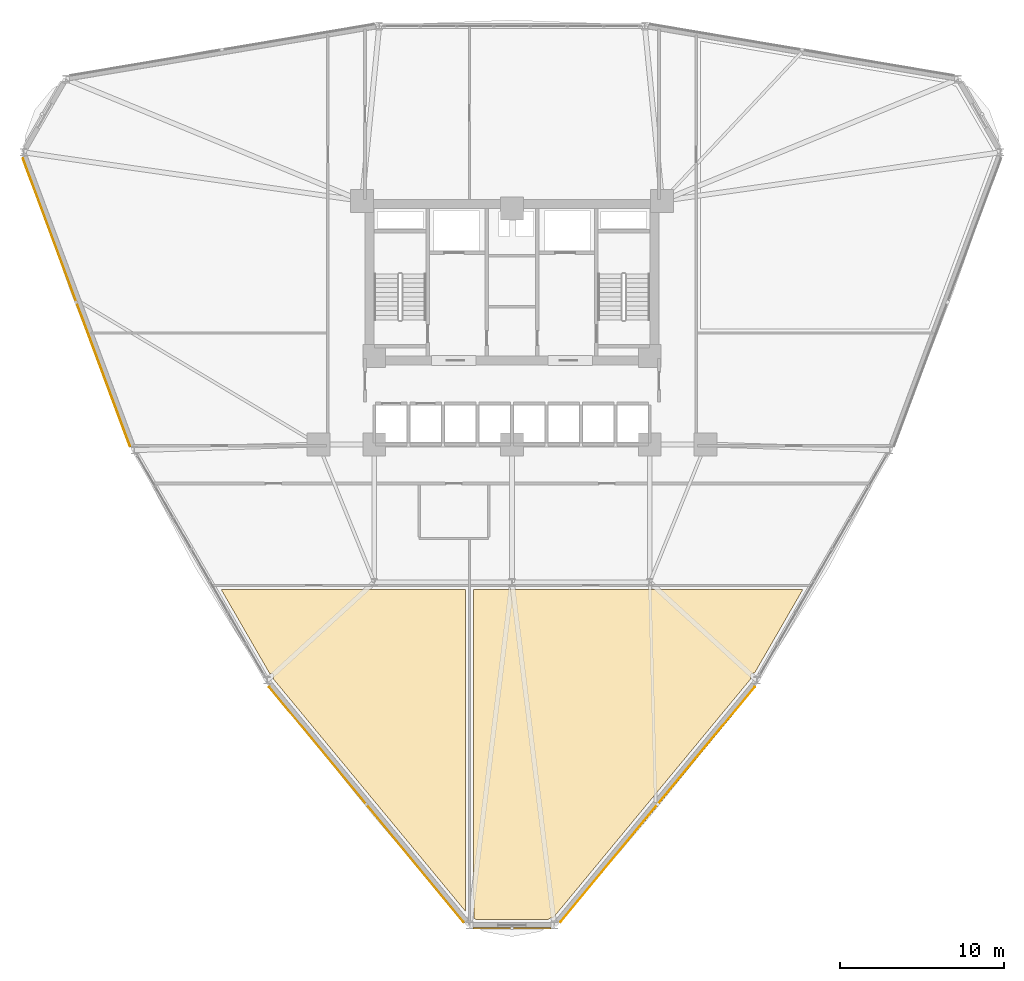
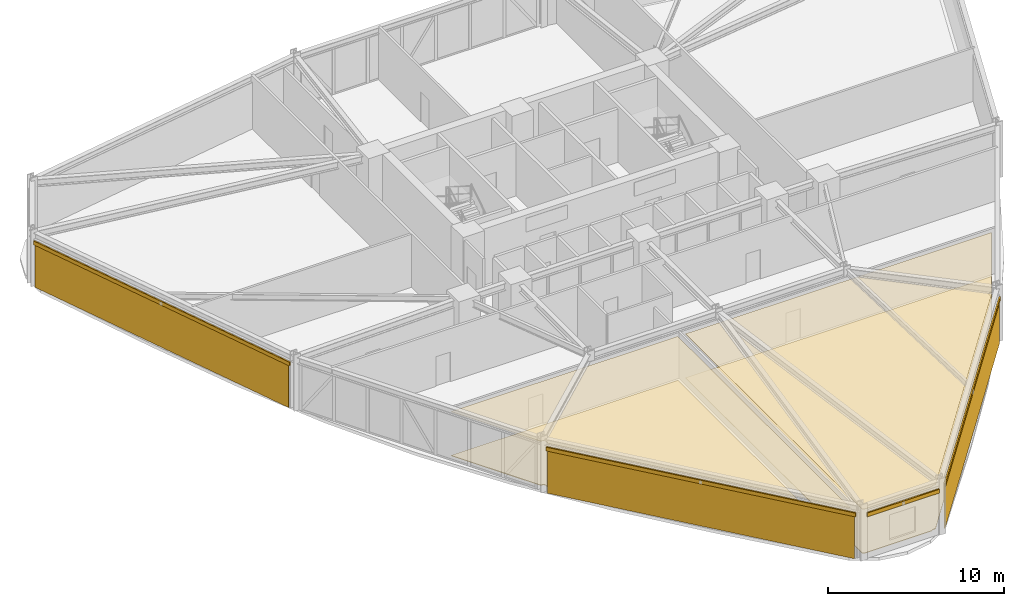
# One storey, part 19 of 21: 7 coverings, 4 shading devices.
"""IFC4 building model written with IfcOpenShell, lengths in metres."""

from ifc_helpers import new_model, si_unit, derived_unit, direction, frame, origin, origin_2d, place, context, subcontext, project, spatial, polyline, hollow_rectangle, outline, extrude, source, transform, mapped, material, layer, layer_set, material_profile, profile_set, type_object, element, save


model = new_model("IFC4")

# Units and contexts
model_context = context("Model", 3, precision=1e-05, world=origin(), true_north=direction((0.0, 1.0)))
body_context = subcontext(model_context, "Body", "Model", "MODEL_VIEW")
ifc_project = project(units=[si_unit("LENGTHUNIT", "METRE"), si_unit("AREAUNIT", "SQUARE_METRE"), si_unit("VOLUMEUNIT", "CUBIC_METRE"), si_unit("PLANEANGLEUNIT", "RADIAN"), si_unit("MASSUNIT", "GRAM", prefix="KILO"), derived_unit("THERMALTRANSMITTANCEUNIT", [(si_unit("POWERUNIT", "WATT"), 1), (si_unit("LENGTHUNIT", "METRE"), -2), (si_unit("THERMODYNAMICTEMPERATUREUNIT", "KELVIN"), -1)])], contexts=[model_context])

# Site, building, storey
site_placement = place(None, origin())
site = spatial("IfcSite", under=ifc_project, at=site_placement, CompositionType="ELEMENT")
building_placement = place(site_placement, origin())
building = spatial("IfcBuilding", under=site, at=building_placement, Name="Korsvarv Bourse and Concert Hall", CompositionType="ELEMENT")
storey_placement = place(building_placement, frame((0.0, 0.0, 27.89990234375)))
storey = spatial("IfcBuildingStorey", under=building, at=storey_placement, Name="L06", CompositionType="ELEMENT", Elevation=27.89990234375)

# Coverings
ifc_material_1 = material(Name="Perforated mineral-wool and birch acoustic baffle ceiling", Category="wood")
ifc_layer_1 = layer(ifc_material_1, 0.02490234375)
ifc_layer_set_1 = layer_set([ifc_layer_1], Name="Perforated mineral-wool and birch acoustic baffle ceiling")
covering_type_1 = type_object("IfcCoveringType", Name="COV-CEIL-1", PredefinedType="CEILING", material=ifc_layer_set_1)
covering_1_placement = place(storey_placement, frame((0.0, 0.0, 3.06005859375)))
element("IfcCovering", 1, at=covering_1_placement, inside=storey, type_object=covering_type_1, Name="L06 acoustic baffle ceiling 2", PredefinedType="CEILING", context=body_context, shape_type="SweptSolid", body=[
    extrude(outline(polyline([(53.72705078125, 23.550048828125), (50.7861328125, 18.455810546875), (50.72021484375, 18.455810546875), (50.685791015625, 18.452392578125), (50.65283203125, 18.442626953125), (50.622314453125, 18.427001953125), (50.59521484375, 18.405517578125), (50.57275390625, 18.37939453125), (50.555908203125, 18.349365234375), (50.544921875, 18.316650390625), (50.540283203125, 18.28271484375), (50.532470703125, 18.0791015625), (38.493896484375, 3.520751953125), (38.369873046875, 3.520751953125), (38.335205078125, 3.517333984375), (38.3017578125, 3.50732421875), (38.27099609375, 3.490966796875), (38.24365234375, 3.468994140625), (38.22119140625, 3.4423828125), (33.78759765625, 3.43359375), (33.7646484375, 3.460693359375), (33.736083984375, 3.48291015625), (33.70361328125, 3.4990234375), (33.668701171875, 3.50830078125), (33.64990234375, 23.550048828125), (53.72705078125, 23.550048828125)])), origin(), (0.0, 0.0, 1.0), 0.025146484375),
])
covering_2_placement = place(storey_placement, frame((0.0, 0.0, 3.06005859375)))
element("IfcCovering", 2, at=covering_2_placement, inside=storey, type_object=covering_type_1, Name="L06 acoustic baffle ceiling 3", PredefinedType="CEILING", context=body_context, shape_type="SweptSolid", body=[
    extrude(outline(polyline([(33.14990234375, 23.550048828125), (33.14990234375, 3.951416015625), (21.469970703125, 18.076171875), (21.469970703125, 18.265869140625), (21.46630859375, 18.302001953125), (21.455322265625, 18.336669921875), (21.437744140625, 18.368408203125), (21.414306640625, 18.39599609375), (21.385498046875, 18.418212890625), (21.35302734375, 18.434326171875), (21.318115234375, 18.443603515625), (21.21728515625, 18.4501953125), (18.27294921875, 23.550048828125), (33.14990234375, 23.550048828125)])), origin(), (0.0, 0.0, 1.0), 0.025146484375),
])
ifc_material_2 = material(Name="Warm iron-oxide extruded terracotta rainscreen tile", Category="ceramic")
ifc_layer_2 = layer(ifc_material_2, 0.044921875)
ifc_layer_set_2 = layer_set([ifc_layer_2], Name="Warm iron-oxide extruded terracotta rainscreen tile")
covering_type_2 = type_object("IfcCoveringType", Name="COV-CLD-TC", PredefinedType="CLADDING", material=ifc_layer_set_2)
covering_3_placement = place(storey_placement, origin())
element("IfcCovering", 3, at=covering_3_placement, inside=storey, type_object=covering_type_2, Name="L06 fluted terracotta cladding panel EW-L06-B06", PredefinedType="CLADDING", context=body_context, shape_type="SweptSolid", body=[
    extrude(outline(polyline([(6.202880859375, 49.85302734375), (12.72607421875, 32.323974609375), (12.683837890625, 32.308349609375), (6.16064453125, 49.83740234375), (6.202880859375, 49.85302734375)])), origin(), (0.0, 0.0, 1.0), 2.91015625),
])
covering_4_placement = place(storey_placement, origin())
element("IfcCovering", 4, at=covering_4_placement, inside=storey, type_object=covering_type_2, Name="L06 fluted terracotta cladding panel EW-L06-B08", PredefinedType="CLADDING", context=body_context, shape_type="SweptSolid", body=[
    extrude(outline(polyline([(21.21484375, 17.63916015625), (33.06298828125, 3.311279296875), (33.0283203125, 3.28271484375), (21.180419921875, 17.6103515625), (21.21484375, 17.63916015625)])), origin(), (0.0, 0.0, 1.0), 2.91015625),
])
covering_5_placement = place(storey_placement, origin())
element("IfcCovering", 5, at=covering_5_placement, inside=storey, type_object=covering_type_2, Name="L06 fluted terracotta cladding panel EW-L06-B10", PredefinedType="CLADDING", context=body_context, shape_type="SweptSolid", body=[
    extrude(outline(polyline([(38.93701171875, 3.311279296875), (50.78515625, 17.63916015625), (50.819580078125, 17.6103515625), (38.9716796875, 3.28271484375), (38.93701171875, 3.311279296875)])), origin(), (0.0, 0.0, 1.0), 2.91015625),
])
ifc_material_3 = material(Name="Calcium-sulphate raised access trading floor with Nordic oak top", Category="wood")
ifc_layer_3 = layer(ifc_material_3, 0.0400390625)
ifc_layer_set_3 = layer_set([ifc_layer_3], Name="Calcium-sulphate raised access trading floor with Nordic oak top")
covering_type_3 = type_object("IfcCoveringType", Name="COV-FLOR-1", PredefinedType="FLOORING", material=ifc_layer_set_3)
covering_6_placement = place(storey_placement, origin())
element("IfcCovering", 6, at=covering_6_placement, inside=storey, type_object=covering_type_3, Name="L06 raised access oak floor finish 2", PredefinedType="FLOORING", context=body_context, shape_type="SweptSolid", body=[
    extrude(outline(polyline([(53.72705078125, 23.550048828125), (50.7861328125, 18.455810546875), (50.72021484375, 18.455810546875), (50.685791015625, 18.452392578125), (50.65283203125, 18.442626953125), (50.622314453125, 18.427001953125), (50.59521484375, 18.405517578125), (50.57275390625, 18.37939453125), (50.555908203125, 18.349365234375), (50.544921875, 18.316650390625), (50.540283203125, 18.28271484375), (50.532470703125, 18.0791015625), (38.493896484375, 3.520751953125), (38.369873046875, 3.520751953125), (38.335205078125, 3.517333984375), (38.3017578125, 3.50732421875), (38.27099609375, 3.490966796875), (38.24365234375, 3.468994140625), (38.22119140625, 3.4423828125), (33.78759765625, 3.43359375), (33.7646484375, 3.460693359375), (33.736083984375, 3.48291015625), (33.70361328125, 3.4990234375), (33.668701171875, 3.50830078125), (33.64990234375, 23.550048828125), (53.72705078125, 23.550048828125)])), origin(), (0.0, 0.0, 1.0), 0.0400390625),
])
covering_7_placement = place(storey_placement, origin())
element("IfcCovering", 7, at=covering_7_placement, inside=storey, type_object=covering_type_3, Name="L06 raised access oak floor finish 3", PredefinedType="FLOORING", context=body_context, shape_type="SweptSolid", body=[
    extrude(outline(polyline([(33.14990234375, 23.550048828125), (33.14990234375, 3.951416015625), (21.469970703125, 18.076171875), (21.469970703125, 18.265869140625), (21.46630859375, 18.302001953125), (21.455322265625, 18.336669921875), (21.437744140625, 18.368408203125), (21.414306640625, 18.39599609375), (21.385498046875, 18.418212890625), (21.35302734375, 18.434326171875), (21.318115234375, 18.443603515625), (21.21728515625, 18.4501953125), (18.27294921875, 23.550048828125), (33.14990234375, 23.550048828125)])), origin(), (0.0, 0.0, 1.0), 0.0400390625),
])

# Shading devices
ifc_material_4 = material(Name="Glazed extruded architectural terracotta", Category="ceramic")
ifc_material_profile = material_profile(ifc_material_4, hollow_rectangle(XDim=0.090087890625, YDim=0.260009765625, WallThickness=0.011962890625, at=origin_2d()), Name="TC-BAG 90x260")
ifc_profile_set = profile_set([ifc_material_profile], Name="Glazed extruded architectural terracotta")
shading_device_type = type_object("IfcShadingDeviceType", Name="SHD-BAG-1", PredefinedType="USERDEFINED", material=ifc_profile_set)
shared_shape_1 = source(origin(), body_context, "Body", "SweptSolid", [
    extrude(hollow_rectangle(XDim=0.090087890625, YDim=0.260009765625, WallThickness=0.011962890625, at=origin_2d()), origin(), (0.0, 0.0, 1.0), 18.863525390625),
])
shading_device_1_placement = place(storey_placement, frame((6.137451171875, 49.914306640625, 3.070068359375), z_axis=(0.34875935694, -0.937212308363, 0.0), x_axis=(0.937212308363, 0.34875935694, 0.0)))
element("IfcShadingDevice", 8, at=shading_device_1_placement, inside=storey, type_object=shading_device_type, Name="L06 terracotta baguette sunshade EW-L06-B06", ObjectType="BAGUETTE", PredefinedType="USERDEFINED", context=body_context, shape_type="MappedRepresentation", body=[
    mapped(shared_shape_1, transform((0.0, 0.0, 0.0), scale=1.0)),
])
shared_shape_2 = source(origin(), body_context, "Body", "SweptSolid", [
    extrude(hollow_rectangle(XDim=0.090087890625, YDim=0.260009765625, WallThickness=0.011962890625, at=origin_2d()), origin(), (0.0, 0.0, 1.0), 18.751953125),
])
for number, where, z_axis, x_axis, name in (
    (9, (21.133056640625, 17.67529296875, 3.070068359375), (0.637262575447, -0.770646747826, 0.0), (0.770646747826, 0.637262575447, 0.0), "L06 terracotta baguette sunshade EW-L06-B08"),
    (10, (38.9169921875, 3.22412109375, 3.070068359375), (0.637262575447, 0.770646747826, 0.0), (-0.770646747826, 0.637262575447, 0.0), "L06 terracotta baguette sunshade EW-L06-B10"),
):
    element("IfcShadingDevice", number, at=place(storey_placement, frame(where, z_axis=z_axis, x_axis=x_axis)), inside=storey, type_object=shading_device_type, Name=name, ObjectType="BAGUETTE", PredefinedType="USERDEFINED", context=body_context, shape_type="MappedRepresentation", body=[
        mapped(shared_shape_2, transform((0.0, 0.0, 0.0), scale=1.0)),
    ])
shared_shape_3 = source(origin(), body_context, "Body", "SweptSolid", [
    extrude(hollow_rectangle(XDim=0.090087890625, YDim=0.260009765625, WallThickness=0.011962890625, at=origin_2d()), origin(), (0.0, 0.0, 1.0), 4.72998046875),
])
shading_device_2_placement = place(storey_placement, frame((33.635009765625, 2.90869140625, 3.070068359375), z_axis=(1.0, 0.0, 0.0), x_axis=(0.0, 1.0, 0.0)))
element("IfcShadingDevice", 11, at=shading_device_2_placement, inside=storey, type_object=shading_device_type, Name="L06 terracotta baguette sunshade EW-L06-B09", ObjectType="BAGUETTE", PredefinedType="USERDEFINED", context=body_context, shape_type="MappedRepresentation", body=[
    mapped(shared_shape_3, transform((0.0, 0.0, 0.0), scale=1.0)),
])

save(model, "model.ifc")
